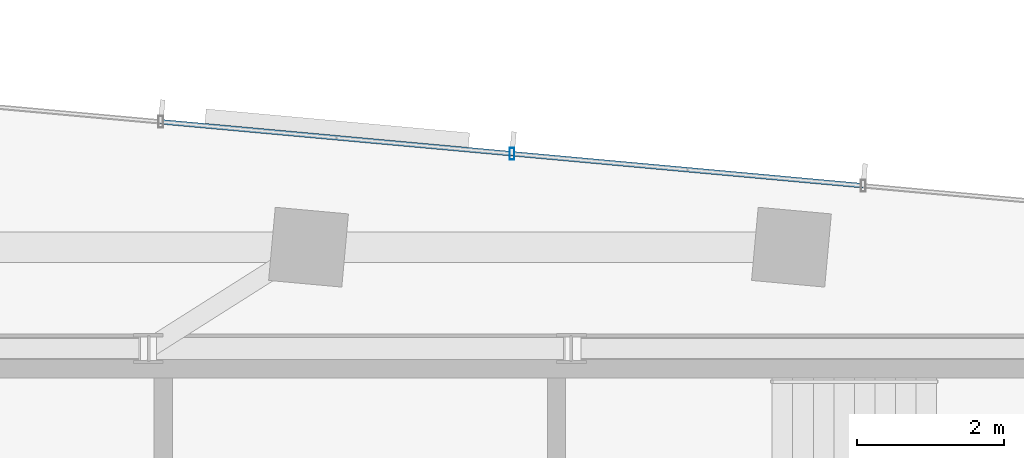
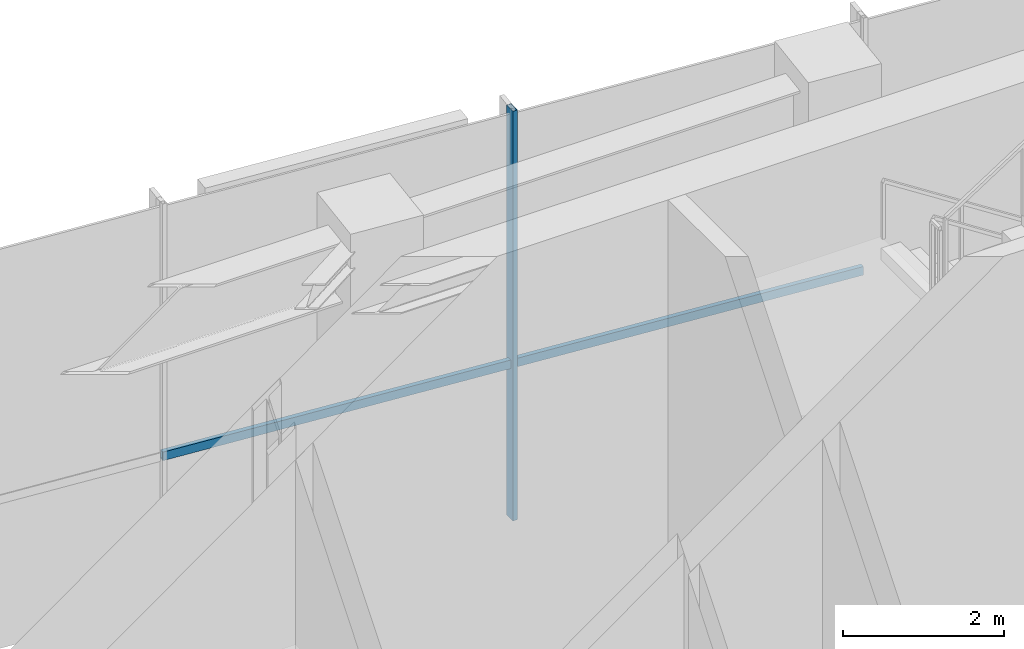
# One storey, part 11 of 18: 3 members, 1 element without a shape of its own.
"""IFC4 building model written with IfcOpenShell, lengths in metres."""

from ifc_helpers import new_model, si_unit, direction, frame, origin, origin_2d, place, context, subcontext, project, spatial, hollow_rectangle, extrude, source, transform, mapped, material, material_profile, profile_set, type_object, type_shapes, element, aggregate, save


model = new_model("IFC4")

# Units and contexts
model_context = context("Model", 3, precision=1e-05, world=origin(), true_north=direction((0.0, 1.0)))
body_context = subcontext(model_context, "Body", "Model", "MODEL_VIEW")
ifc_project = project(units=[si_unit("LENGTHUNIT", "METRE"), si_unit("AREAUNIT", "SQUARE_METRE"), si_unit("VOLUMEUNIT", "CUBIC_METRE"), si_unit("PLANEANGLEUNIT", "RADIAN"), si_unit("MASSUNIT", "GRAM", prefix="KILO")], contexts=[model_context])

# Site, building, storey
site_placement = place(None, origin())
site = spatial("IfcSite", under=ifc_project, at=site_placement, CompositionType="ELEMENT")
building_placement = place(site_placement, origin())
building = spatial("IfcBuilding", under=site, at=building_placement, Name="Astriad Promenade Condominiums", CompositionType="ELEMENT")
storey_placement = place(building_placement, frame((0.0, 0.0, 277.300048828125)))
storey = spatial("IfcBuildingStorey", under=building, at=storey_placement, Name="L78", CompositionType="ELEMENT", Elevation=277.300048828125)

# Curtain wall, members
ifc_material_1 = material(Name="Anodised aluminium Black Dark Glass Unitised", Category="aluminium")
curtain_wall_type = type_object("IfcCurtainWallType", Name="CW-TMD-LANTERN", PredefinedType="USERDEFINED", material=ifc_material_1)
curtain_wall_placement = place(storey_placement, origin())
curtain_wall = element("IfcCurtainWall", 1, at=curtain_wall_placement, inside=storey, type_object=curtain_wall_type, Name="CW-CRN-L78-08", ObjectType="UNITISED_CURTAIN_WALL", PredefinedType="USERDEFINED")
ifc_material_2 = material(Name="Anodised aluminium 6063-T6 Black", Category="aluminium")
ifc_material_profile_1 = material_profile(ifc_material_2, hollow_rectangle(XDim=0.06494140625, YDim=0.159912109375, WallThickness=0.00390625, at=origin_2d()), Name="ALU-MUL-65X160")
ifc_profile_set_1 = profile_set([ifc_material_profile_1], Name="Anodised aluminium 6063-T6 Black")
member_type_1 = type_object("IfcMemberType", Name="MUL-ALU-MUL-65X160", PredefinedType="MULLION", material=ifc_profile_set_1)
shared_shape_1 = source(origin(), body_context, "Body", "SweptSolid", [
    extrude(hollow_rectangle(XDim=0.06494140625, YDim=0.159912109375, WallThickness=0.00390625, at=origin_2d()), origin(), (0.0, 0.0, 1.0), 6.219970703125),
])
type_shapes(member_type_1, [shared_shape_1])
member_1_placement = place(storey_placement, frame((38.06982421875, 26.651611328125, 0.0), z_axis=(0.0, 0.0, 1.0), x_axis=(1.0, 0.0, 0.0)))
member_1 = element("IfcMember", 2, at=member_1_placement, type_object=member_type_1, Name="CW-CRN-L78-08-MUL-04", PredefinedType="MULLION", context=body_context, shape_type="MappedRepresentation", body=[
    mapped(shared_shape_1, transform((0.0, 0.0, 0.0), scale=1.0)),
])
ifc_material_profile_2 = material_profile(ifc_material_2, hollow_rectangle(XDim=0.06494140625, YDim=0.1298828125, WallThickness=0.00390625, at=origin_2d()), Name="ALU-TRN-65X130")
ifc_profile_set_2 = profile_set([ifc_material_profile_2], Name="Anodised aluminium 6063-T6 Black")
member_type_2 = type_object("IfcMemberType", Name="TRN-ALU-TRN-65X130", PredefinedType="USERDEFINED", material=ifc_profile_set_2)
shared_shape_2 = source(origin(), body_context, "Body", "SweptSolid", [
    extrude(hollow_rectangle(XDim=0.06494140625, YDim=0.1298828125, WallThickness=0.00390625, at=origin_2d()), origin(), (0.0, 0.0, 1.0), 4.800048828125),
])
type_shapes(member_type_2, [shared_shape_2])
member_2_placement = place(storey_placement, frame((33.28955078125, 27.086669921875, 2.349853515625), z_axis=(0.995884029465, -0.09063663639, 0.0), x_axis=(0.09063663639, 0.995884029465, 0.0)))
member_2 = element("IfcMember", 3, at=member_2_placement, type_object=member_type_2, Name="CW-CRN-L78-08-TRN-03-0", ObjectType="TRANSOM", PredefinedType="USERDEFINED", context=body_context, shape_type="MappedRepresentation", body=[
    mapped(shared_shape_2, transform((0.0, 0.0, 0.0), scale=1.0)),
])
member_3_placement = place(storey_placement, frame((38.06982421875, 26.651611328125, 2.349853515625), z_axis=(0.995884029465, -0.09063663639, 0.0), x_axis=(0.09063663639, 0.995884029465, 0.0)))
member_3 = element("IfcMember", 4, at=member_3_placement, type_object=member_type_2, Name="CW-CRN-L78-08-TRN-04-0", ObjectType="TRANSOM", PredefinedType="USERDEFINED", context=body_context, shape_type="MappedRepresentation", body=[
    mapped(shared_shape_2, transform((0.0, 0.0, 0.0), scale=1.0)),
])
aggregate(curtain_wall, [member_1, member_2, member_3])

save(model, "model.ifc")
